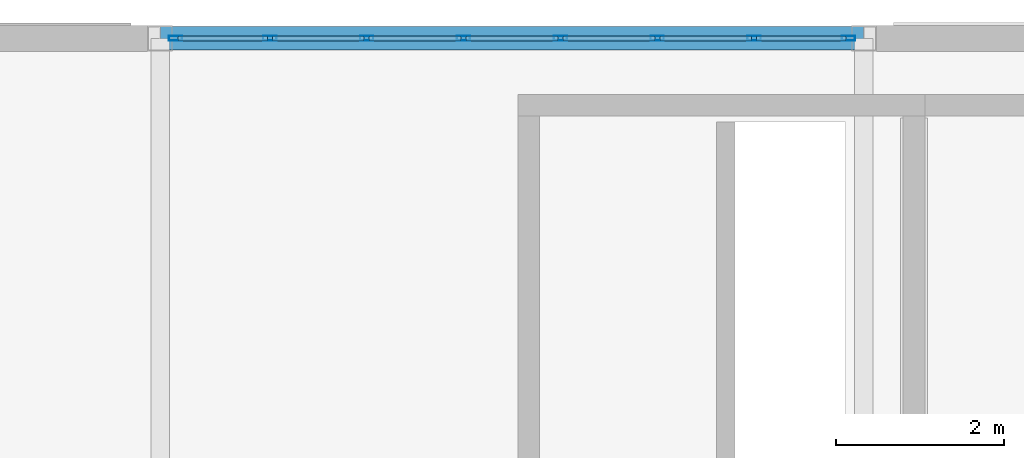
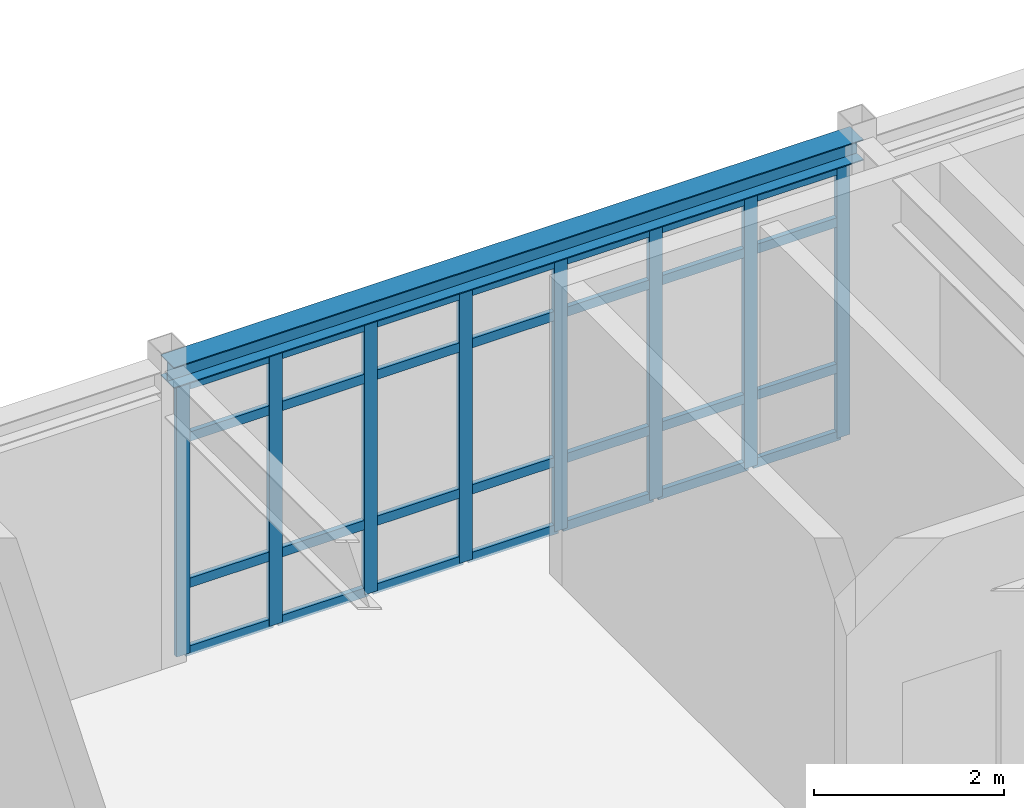
# One storey, part 92 of 165: 36 members, 1 beam, 1 element without a shape of its own.
"""IFC4 building model written with IfcOpenShell, lengths in metres."""

from ifc_helpers import new_model, si_unit, direction, frame, origin, origin_2d, place, context, subcontext, project, spatial, hollow_rectangle, i_section, extrude, material, layer, layer_set, material_profile, profile_set, type_object, element, aggregate, save


model = new_model("IFC4")

# Units and contexts
model_context = context("Model", 3, precision=1e-05, world=origin(), true_north=direction((0.0, 1.0)))
body_context = subcontext(model_context, "Body", "Model", "MODEL_VIEW")
ifc_project = project(units=[si_unit("LENGTHUNIT", "METRE"), si_unit("AREAUNIT", "SQUARE_METRE"), si_unit("VOLUMEUNIT", "CUBIC_METRE"), si_unit("PLANEANGLEUNIT", "RADIAN"), si_unit("MASSUNIT", "GRAM", prefix="KILO")], contexts=[model_context])

# Site, building, storey
site_placement = place(None, origin())
site = spatial("IfcSite", under=ifc_project, at=site_placement, CompositionType="ELEMENT")
building_placement = place(site_placement, origin())
building = spatial("IfcBuilding", under=site, at=building_placement, Name="Montecoro Central Library", CompositionType="ELEMENT")
storey_placement = place(building_placement, frame((0.0, 0.0, 5.10009765625)))
storey = spatial("IfcBuildingStorey", under=building, at=storey_placement, Name="L01", CompositionType="ELEMENT", Elevation=5.10009765625)

# Beam
ifc_material_1 = material(Name="Steel S355", Category="steel")
ifc_material_profile_1 = material_profile(ifc_material_1, i_section(OverallWidth=0.280029296875, OverallDepth=0.27001953125, WebThickness=0.008056640625, FlangeThickness=0.012939453125, at=origin_2d()), Name="HEA 280")
ifc_profile_set_1 = profile_set([ifc_material_profile_1], Name="Steel S355")
beam_type = type_object("IfcBeamType", Name="BM-SP-HEA280", PredefinedType="SPANDREL", material=ifc_profile_set_1)
beam_placement = place(storey_placement, frame((91.60498046875, 119.0, 3.68994140625), z_axis=(1.0, 0.0, 0.0), x_axis=(0.0, 1.0, 0.0)))
element("IfcBeam", 1, at=beam_placement, inside=storey, type_object=beam_type, Name="V2-L01-BX-1213-R", PredefinedType="SPANDREL", context=body_context, shape_type="SweptSolid", body=[
    extrude(i_section(OverallWidth=0.280029296875, OverallDepth=0.27001953125, WebThickness=0.008056640625, FlangeThickness=0.012939453125, at=origin_2d()), origin(), (0.0, 0.0, 1.0), 8.39013671875),
])

# Curtain wall, members
ifc_material_2 = material(Name="Bronze-anodised aluminium and low-E glazing", Category="aluminium")
ifc_layer = layer(ifc_material_2, 0.159912109375)
ifc_layer_set = layer_set([ifc_layer], Name="Bronze-anodised aluminium and low-E glazing")
curtain_wall_type = type_object("IfcCurtainWallType", Name="CWT-012", PredefinedType="NOTDEFINED", material=ifc_layer_set)
curtain_wall_placement = place(storey_placement, origin())
curtain_wall = element("IfcCurtainWall", 2, at=curtain_wall_placement, inside=storey, type_object=curtain_wall_type, Name="V2-L01-CW-N3", PredefinedType="NOTDEFINED")
ifc_material_3 = material(Name="Bronze-anodised aluminium", Category="aluminium")
ifc_material_profile_2 = material_profile(ifc_material_3, hollow_rectangle(XDim=0.06005859375, YDim=0.159912109375, WallThickness=0.00390625, at=origin_2d()), Name="CWM 160x60x4.0")
ifc_profile_set_2 = profile_set([ifc_material_profile_2], Name="Bronze-anodised aluminium")
member_type_1 = type_object("IfcMemberType", Name="CWM-BRZ-60", PredefinedType="MULLION", material=ifc_profile_set_2)
member_1_placement = place(storey_placement, frame((99.81689453125, 119.0, 0.0), z_axis=(0.0, 0.0, 1.0), x_axis=(0.0, -1.0, 0.0)))
member_1 = element("IfcMember", 3, at=member_1_placement, type_object=member_type_1, Name="CW-012 mullion 1", PredefinedType="MULLION", context=body_context, shape_type="SweptSolid", body=[
    extrude(hollow_rectangle(XDim=0.06005859375, YDim=0.159912109375, WallThickness=0.00390625, at=origin_2d()), origin(), (0.0, 0.0, 1.0), 3.47998046875),
])
member_2_placement = place(storey_placement, frame((98.690673828125, 119.0, 0.0), z_axis=(0.0, 0.0, 1.0), x_axis=(0.0, -1.0, 0.0)))
member_2 = element("IfcMember", 4, at=member_2_placement, type_object=member_type_1, Name="CW-012 mullion 2", PredefinedType="MULLION", context=body_context, shape_type="SweptSolid", body=[
    extrude(hollow_rectangle(XDim=0.06005859375, YDim=0.159912109375, WallThickness=0.00390625, at=origin_2d()), origin(), (0.0, 0.0, 1.0), 3.47998046875),
])
member_3_placement = place(storey_placement, frame((97.534423828125, 119.0, 0.0), z_axis=(0.0, 0.0, 1.0), x_axis=(0.0, -1.0, 0.0)))
member_3 = element("IfcMember", 5, at=member_3_placement, type_object=member_type_1, Name="CW-012 mullion 3", PredefinedType="MULLION", context=body_context, shape_type="SweptSolid", body=[
    extrude(hollow_rectangle(XDim=0.06005859375, YDim=0.159912109375, WallThickness=0.00390625, at=origin_2d()), origin(), (0.0, 0.0, 1.0), 3.47998046875),
])
member_4_placement = place(storey_placement, frame((96.378173828125, 119.0, 0.0), z_axis=(0.0, 0.0, 1.0), x_axis=(0.0, -1.0, 0.0)))
member_4 = element("IfcMember", 6, at=member_4_placement, type_object=member_type_1, Name="CW-012 mullion 4", PredefinedType="MULLION", context=body_context, shape_type="SweptSolid", body=[
    extrude(hollow_rectangle(XDim=0.06005859375, YDim=0.159912109375, WallThickness=0.00390625, at=origin_2d()), origin(), (0.0, 0.0, 1.0), 3.47998046875),
])
member_5_placement = place(storey_placement, frame((95.221923828125, 119.0, 0.0), z_axis=(0.0, 0.0, 1.0), x_axis=(0.0, -1.0, 0.0)))
member_5 = element("IfcMember", 7, at=member_5_placement, type_object=member_type_1, Name="CW-012 mullion 5", PredefinedType="MULLION", context=body_context, shape_type="SweptSolid", body=[
    extrude(hollow_rectangle(XDim=0.06005859375, YDim=0.159912109375, WallThickness=0.00390625, at=origin_2d()), origin(), (0.0, 0.0, 1.0), 3.47998046875),
])
member_6_placement = place(storey_placement, frame((94.065673828125, 119.0, 0.0), z_axis=(0.0, 0.0, 1.0), x_axis=(0.0, -1.0, 0.0)))
member_6 = element("IfcMember", 8, at=member_6_placement, type_object=member_type_1, Name="CW-012 mullion 6", PredefinedType="MULLION", context=body_context, shape_type="SweptSolid", body=[
    extrude(hollow_rectangle(XDim=0.06005859375, YDim=0.159912109375, WallThickness=0.00390625, at=origin_2d()), origin(), (0.0, 0.0, 1.0), 3.47998046875),
])
member_7_placement = place(storey_placement, frame((92.9091796875, 119.0, 0.0), z_axis=(0.0, 0.0, 1.0), x_axis=(0.0, -1.0, 0.0)))
member_7 = element("IfcMember", 9, at=member_7_placement, type_object=member_type_1, Name="CW-012 mullion 7", PredefinedType="MULLION", context=body_context, shape_type="SweptSolid", body=[
    extrude(hollow_rectangle(XDim=0.06005859375, YDim=0.159912109375, WallThickness=0.00390625, at=origin_2d()), origin(), (0.0, 0.0, 1.0), 3.47998046875),
])
member_8_placement = place(storey_placement, frame((91.782958984375, 119.0, 0.0), z_axis=(0.0, 0.0, 1.0), x_axis=(0.0, -1.0, 0.0)))
member_8 = element("IfcMember", 10, at=member_8_placement, type_object=member_type_1, Name="CW-012 mullion 8", PredefinedType="MULLION", context=body_context, shape_type="SweptSolid", body=[
    extrude(hollow_rectangle(XDim=0.06005859375, YDim=0.159912109375, WallThickness=0.00390625, at=origin_2d()), origin(), (0.0, 0.0, 1.0), 3.47998046875),
])
ifc_material_profile_3 = material_profile(ifc_material_3, hollow_rectangle(XDim=0.06005859375, YDim=0.1201171875, WallThickness=0.00390625, at=origin_2d()), Name="CWT 120x60x4.0")
ifc_profile_set_3 = profile_set([ifc_material_profile_3], Name="Bronze-anodised aluminium")
member_type_2 = type_object("IfcMemberType", Name="CWT-BRZ-60", PredefinedType="USERDEFINED", material=ifc_profile_set_3)
member_9_placement = place(storey_placement, frame((99.787109375, 119.0, 0.02978515625), z_axis=(-1.0, 0.0, 0.0), x_axis=(0.0, -1.0, 0.0)))
member_9 = element("IfcMember", 11, at=member_9_placement, type_object=member_type_2, Name="CW-012 transom 1.1", ObjectType="TRANSOM", PredefinedType="USERDEFINED", context=body_context, shape_type="SweptSolid", body=[
    extrude(hollow_rectangle(XDim=0.06005859375, YDim=0.1201171875, WallThickness=0.00390625, at=origin_2d()), origin(), (0.0, 0.0, 1.0), 1.06640625),
])
member_10_placement = place(storey_placement, frame((99.787109375, 119.0, 0.89990234375), z_axis=(-1.0, 0.0, 0.0), x_axis=(0.0, -1.0, 0.0)))
member_10 = element("IfcMember", 12, at=member_10_placement, type_object=member_type_2, Name="CW-012 transom 1.2", ObjectType="TRANSOM", PredefinedType="USERDEFINED", context=body_context, shape_type="SweptSolid", body=[
    extrude(hollow_rectangle(XDim=0.06005859375, YDim=0.1201171875, WallThickness=0.00390625, at=origin_2d()), origin(), (0.0, 0.0, 1.0), 1.06640625),
])
member_11_placement = place(storey_placement, frame((99.787109375, 119.0, 2.77978515625), z_axis=(-1.0, 0.0, 0.0), x_axis=(0.0, -1.0, 0.0)))
member_11 = element("IfcMember", 13, at=member_11_placement, type_object=member_type_2, Name="CW-012 transom 1.3", ObjectType="TRANSOM", PredefinedType="USERDEFINED", context=body_context, shape_type="SweptSolid", body=[
    extrude(hollow_rectangle(XDim=0.06005859375, YDim=0.1201171875, WallThickness=0.00390625, at=origin_2d()), origin(), (0.0, 0.0, 1.0), 1.06640625),
])
member_12_placement = place(storey_placement, frame((99.787109375, 119.0, 3.449951171875), z_axis=(-1.0, 0.0, 0.0), x_axis=(0.0, -1.0, 0.0)))
member_12 = element("IfcMember", 14, at=member_12_placement, type_object=member_type_2, Name="CW-012 transom 1.4", ObjectType="TRANSOM", PredefinedType="USERDEFINED", context=body_context, shape_type="SweptSolid", body=[
    extrude(hollow_rectangle(XDim=0.06005859375, YDim=0.1201171875, WallThickness=0.00390625, at=origin_2d()), origin(), (0.0, 0.0, 1.0), 1.06640625),
])
member_13_placement = place(storey_placement, frame((98.66064453125, 119.0, 0.02978515625), z_axis=(-1.0, 0.0, 0.0), x_axis=(0.0, -1.0, 0.0)))
member_13 = element("IfcMember", 15, at=member_13_placement, type_object=member_type_2, Name="CW-012 transom 2.1", ObjectType="TRANSOM", PredefinedType="USERDEFINED", context=body_context, shape_type="SweptSolid", body=[
    extrude(hollow_rectangle(XDim=0.06005859375, YDim=0.1201171875, WallThickness=0.00390625, at=origin_2d()), origin(), (0.0, 0.0, 1.0), 1.09619140625),
])
member_14_placement = place(storey_placement, frame((98.66064453125, 119.0, 0.89990234375), z_axis=(-1.0, 0.0, 0.0), x_axis=(0.0, -1.0, 0.0)))
member_14 = element("IfcMember", 16, at=member_14_placement, type_object=member_type_2, Name="CW-012 transom 2.2", ObjectType="TRANSOM", PredefinedType="USERDEFINED", context=body_context, shape_type="SweptSolid", body=[
    extrude(hollow_rectangle(XDim=0.06005859375, YDim=0.1201171875, WallThickness=0.00390625, at=origin_2d()), origin(), (0.0, 0.0, 1.0), 1.09619140625),
])
member_15_placement = place(storey_placement, frame((98.66064453125, 119.0, 2.77978515625), z_axis=(-1.0, 0.0, 0.0), x_axis=(0.0, -1.0, 0.0)))
member_15 = element("IfcMember", 17, at=member_15_placement, type_object=member_type_2, Name="CW-012 transom 2.3", ObjectType="TRANSOM", PredefinedType="USERDEFINED", context=body_context, shape_type="SweptSolid", body=[
    extrude(hollow_rectangle(XDim=0.06005859375, YDim=0.1201171875, WallThickness=0.00390625, at=origin_2d()), origin(), (0.0, 0.0, 1.0), 1.09619140625),
])
member_16_placement = place(storey_placement, frame((98.66064453125, 119.0, 3.449951171875), z_axis=(-1.0, 0.0, 0.0), x_axis=(0.0, -1.0, 0.0)))
member_16 = element("IfcMember", 18, at=member_16_placement, type_object=member_type_2, Name="CW-012 transom 2.4", ObjectType="TRANSOM", PredefinedType="USERDEFINED", context=body_context, shape_type="SweptSolid", body=[
    extrude(hollow_rectangle(XDim=0.06005859375, YDim=0.1201171875, WallThickness=0.00390625, at=origin_2d()), origin(), (0.0, 0.0, 1.0), 1.09619140625),
])
member_17_placement = place(storey_placement, frame((97.50439453125, 119.0, 0.02978515625), z_axis=(-1.0, 0.0, 0.0), x_axis=(0.0, -1.0, 0.0)))
member_17 = element("IfcMember", 19, at=member_17_placement, type_object=member_type_2, Name="CW-012 transom 3.1", ObjectType="TRANSOM", PredefinedType="USERDEFINED", context=body_context, shape_type="SweptSolid", body=[
    extrude(hollow_rectangle(XDim=0.06005859375, YDim=0.1201171875, WallThickness=0.00390625, at=origin_2d()), origin(), (0.0, 0.0, 1.0), 1.09619140625),
])
member_18_placement = place(storey_placement, frame((97.50439453125, 119.0, 0.89990234375), z_axis=(-1.0, 0.0, 0.0), x_axis=(0.0, -1.0, 0.0)))
member_18 = element("IfcMember", 20, at=member_18_placement, type_object=member_type_2, Name="CW-012 transom 3.2", ObjectType="TRANSOM", PredefinedType="USERDEFINED", context=body_context, shape_type="SweptSolid", body=[
    extrude(hollow_rectangle(XDim=0.06005859375, YDim=0.1201171875, WallThickness=0.00390625, at=origin_2d()), origin(), (0.0, 0.0, 1.0), 1.09619140625),
])
member_19_placement = place(storey_placement, frame((97.50439453125, 119.0, 2.77978515625), z_axis=(-1.0, 0.0, 0.0), x_axis=(0.0, -1.0, 0.0)))
member_19 = element("IfcMember", 21, at=member_19_placement, type_object=member_type_2, Name="CW-012 transom 3.3", ObjectType="TRANSOM", PredefinedType="USERDEFINED", context=body_context, shape_type="SweptSolid", body=[
    extrude(hollow_rectangle(XDim=0.06005859375, YDim=0.1201171875, WallThickness=0.00390625, at=origin_2d()), origin(), (0.0, 0.0, 1.0), 1.09619140625),
])
member_20_placement = place(storey_placement, frame((97.50439453125, 119.0, 3.449951171875), z_axis=(-1.0, 0.0, 0.0), x_axis=(0.0, -1.0, 0.0)))
member_20 = element("IfcMember", 22, at=member_20_placement, type_object=member_type_2, Name="CW-012 transom 3.4", ObjectType="TRANSOM", PredefinedType="USERDEFINED", context=body_context, shape_type="SweptSolid", body=[
    extrude(hollow_rectangle(XDim=0.06005859375, YDim=0.1201171875, WallThickness=0.00390625, at=origin_2d()), origin(), (0.0, 0.0, 1.0), 1.09619140625),
])
member_21_placement = place(storey_placement, frame((96.34814453125, 119.0, 0.02978515625), z_axis=(-1.0, 0.0, 0.0), x_axis=(0.0, -1.0, 0.0)))
member_21 = element("IfcMember", 23, at=member_21_placement, type_object=member_type_2, Name="CW-012 transom 4.1", ObjectType="TRANSOM", PredefinedType="USERDEFINED", context=body_context, shape_type="SweptSolid", body=[
    extrude(hollow_rectangle(XDim=0.06005859375, YDim=0.1201171875, WallThickness=0.00390625, at=origin_2d()), origin(), (0.0, 0.0, 1.0), 1.09619140625),
])
member_22_placement = place(storey_placement, frame((96.34814453125, 119.0, 0.89990234375), z_axis=(-1.0, 0.0, 0.0), x_axis=(0.0, -1.0, 0.0)))
member_22 = element("IfcMember", 24, at=member_22_placement, type_object=member_type_2, Name="CW-012 transom 4.2", ObjectType="TRANSOM", PredefinedType="USERDEFINED", context=body_context, shape_type="SweptSolid", body=[
    extrude(hollow_rectangle(XDim=0.06005859375, YDim=0.1201171875, WallThickness=0.00390625, at=origin_2d()), origin(), (0.0, 0.0, 1.0), 1.09619140625),
])
member_23_placement = place(storey_placement, frame((96.34814453125, 119.0, 2.77978515625), z_axis=(-1.0, 0.0, 0.0), x_axis=(0.0, -1.0, 0.0)))
member_23 = element("IfcMember", 25, at=member_23_placement, type_object=member_type_2, Name="CW-012 transom 4.3", ObjectType="TRANSOM", PredefinedType="USERDEFINED", context=body_context, shape_type="SweptSolid", body=[
    extrude(hollow_rectangle(XDim=0.06005859375, YDim=0.1201171875, WallThickness=0.00390625, at=origin_2d()), origin(), (0.0, 0.0, 1.0), 1.09619140625),
])
member_24_placement = place(storey_placement, frame((96.34814453125, 119.0, 3.449951171875), z_axis=(-1.0, 0.0, 0.0), x_axis=(0.0, -1.0, 0.0)))
member_24 = element("IfcMember", 26, at=member_24_placement, type_object=member_type_2, Name="CW-012 transom 4.4", ObjectType="TRANSOM", PredefinedType="USERDEFINED", context=body_context, shape_type="SweptSolid", body=[
    extrude(hollow_rectangle(XDim=0.06005859375, YDim=0.1201171875, WallThickness=0.00390625, at=origin_2d()), origin(), (0.0, 0.0, 1.0), 1.09619140625),
])
member_25_placement = place(storey_placement, frame((95.19189453125, 119.0, 0.02978515625), z_axis=(-1.0, 0.0, 0.0), x_axis=(0.0, -1.0, 0.0)))
member_25 = element("IfcMember", 27, at=member_25_placement, type_object=member_type_2, Name="CW-012 transom 5.1", ObjectType="TRANSOM", PredefinedType="USERDEFINED", context=body_context, shape_type="SweptSolid", body=[
    extrude(hollow_rectangle(XDim=0.06005859375, YDim=0.1201171875, WallThickness=0.00390625, at=origin_2d()), origin(), (0.0, 0.0, 1.0), 1.096435546875),
])
member_26_placement = place(storey_placement, frame((95.19189453125, 119.0, 0.89990234375), z_axis=(-1.0, 0.0, 0.0), x_axis=(0.0, -1.0, 0.0)))
member_26 = element("IfcMember", 28, at=member_26_placement, type_object=member_type_2, Name="CW-012 transom 5.2", ObjectType="TRANSOM", PredefinedType="USERDEFINED", context=body_context, shape_type="SweptSolid", body=[
    extrude(hollow_rectangle(XDim=0.06005859375, YDim=0.1201171875, WallThickness=0.00390625, at=origin_2d()), origin(), (0.0, 0.0, 1.0), 1.096435546875),
])
member_27_placement = place(storey_placement, frame((95.19189453125, 119.0, 2.77978515625), z_axis=(-1.0, 0.0, 0.0), x_axis=(0.0, -1.0, 0.0)))
member_27 = element("IfcMember", 29, at=member_27_placement, type_object=member_type_2, Name="CW-012 transom 5.3", ObjectType="TRANSOM", PredefinedType="USERDEFINED", context=body_context, shape_type="SweptSolid", body=[
    extrude(hollow_rectangle(XDim=0.06005859375, YDim=0.1201171875, WallThickness=0.00390625, at=origin_2d()), origin(), (0.0, 0.0, 1.0), 1.096435546875),
])
member_28_placement = place(storey_placement, frame((95.19189453125, 119.0, 3.449951171875), z_axis=(-1.0, 0.0, 0.0), x_axis=(0.0, -1.0, 0.0)))
member_28 = element("IfcMember", 30, at=member_28_placement, type_object=member_type_2, Name="CW-012 transom 5.4", ObjectType="TRANSOM", PredefinedType="USERDEFINED", context=body_context, shape_type="SweptSolid", body=[
    extrude(hollow_rectangle(XDim=0.06005859375, YDim=0.1201171875, WallThickness=0.00390625, at=origin_2d()), origin(), (0.0, 0.0, 1.0), 1.096435546875),
])
member_29_placement = place(storey_placement, frame((94.03564453125, 119.0, 0.02978515625), z_axis=(-1.0, 0.0, 0.0), x_axis=(0.0, -1.0, 0.0)))
member_29 = element("IfcMember", 31, at=member_29_placement, type_object=member_type_2, Name="CW-012 transom 6.1", ObjectType="TRANSOM", PredefinedType="USERDEFINED", context=body_context, shape_type="SweptSolid", body=[
    extrude(hollow_rectangle(XDim=0.06005859375, YDim=0.1201171875, WallThickness=0.00390625, at=origin_2d()), origin(), (0.0, 0.0, 1.0), 1.096435546875),
])
member_30_placement = place(storey_placement, frame((94.03564453125, 119.0, 0.89990234375), z_axis=(-1.0, 0.0, 0.0), x_axis=(0.0, -1.0, 0.0)))
member_30 = element("IfcMember", 32, at=member_30_placement, type_object=member_type_2, Name="CW-012 transom 6.2", ObjectType="TRANSOM", PredefinedType="USERDEFINED", context=body_context, shape_type="SweptSolid", body=[
    extrude(hollow_rectangle(XDim=0.06005859375, YDim=0.1201171875, WallThickness=0.00390625, at=origin_2d()), origin(), (0.0, 0.0, 1.0), 1.096435546875),
])
member_31_placement = place(storey_placement, frame((94.03564453125, 119.0, 2.77978515625), z_axis=(-1.0, 0.0, 0.0), x_axis=(0.0, -1.0, 0.0)))
member_31 = element("IfcMember", 33, at=member_31_placement, type_object=member_type_2, Name="CW-012 transom 6.3", ObjectType="TRANSOM", PredefinedType="USERDEFINED", context=body_context, shape_type="SweptSolid", body=[
    extrude(hollow_rectangle(XDim=0.06005859375, YDim=0.1201171875, WallThickness=0.00390625, at=origin_2d()), origin(), (0.0, 0.0, 1.0), 1.096435546875),
])
member_32_placement = place(storey_placement, frame((94.03564453125, 119.0, 3.449951171875), z_axis=(-1.0, 0.0, 0.0), x_axis=(0.0, -1.0, 0.0)))
member_32 = element("IfcMember", 34, at=member_32_placement, type_object=member_type_2, Name="CW-012 transom 6.4", ObjectType="TRANSOM", PredefinedType="USERDEFINED", context=body_context, shape_type="SweptSolid", body=[
    extrude(hollow_rectangle(XDim=0.06005859375, YDim=0.1201171875, WallThickness=0.00390625, at=origin_2d()), origin(), (0.0, 0.0, 1.0), 1.096435546875),
])
member_33_placement = place(storey_placement, frame((92.87939453125, 119.0, 0.02978515625), z_axis=(-1.0, 0.0, 0.0), x_axis=(0.0, -1.0, 0.0)))
member_33 = element("IfcMember", 35, at=member_33_placement, type_object=member_type_2, Name="CW-012 transom 7.1", ObjectType="TRANSOM", PredefinedType="USERDEFINED", context=body_context, shape_type="SweptSolid", body=[
    extrude(hollow_rectangle(XDim=0.06005859375, YDim=0.1201171875, WallThickness=0.00390625, at=origin_2d()), origin(), (0.0, 0.0, 1.0), 1.06640625),
])
member_34_placement = place(storey_placement, frame((92.87939453125, 119.0, 0.89990234375), z_axis=(-1.0, 0.0, 0.0), x_axis=(0.0, -1.0, 0.0)))
member_34 = element("IfcMember", 36, at=member_34_placement, type_object=member_type_2, Name="CW-012 transom 7.2", ObjectType="TRANSOM", PredefinedType="USERDEFINED", context=body_context, shape_type="SweptSolid", body=[
    extrude(hollow_rectangle(XDim=0.06005859375, YDim=0.1201171875, WallThickness=0.00390625, at=origin_2d()), origin(), (0.0, 0.0, 1.0), 1.06640625),
])
member_35_placement = place(storey_placement, frame((92.87939453125, 119.0, 2.77978515625), z_axis=(-1.0, 0.0, 0.0), x_axis=(0.0, -1.0, 0.0)))
member_35 = element("IfcMember", 37, at=member_35_placement, type_object=member_type_2, Name="CW-012 transom 7.3", ObjectType="TRANSOM", PredefinedType="USERDEFINED", context=body_context, shape_type="SweptSolid", body=[
    extrude(hollow_rectangle(XDim=0.06005859375, YDim=0.1201171875, WallThickness=0.00390625, at=origin_2d()), origin(), (0.0, 0.0, 1.0), 1.06640625),
])
member_36_placement = place(storey_placement, frame((92.87939453125, 119.0, 3.449951171875), z_axis=(-1.0, 0.0, 0.0), x_axis=(0.0, -1.0, 0.0)))
member_36 = element("IfcMember", 38, at=member_36_placement, type_object=member_type_2, Name="CW-012 transom 7.4", ObjectType="TRANSOM", PredefinedType="USERDEFINED", context=body_context, shape_type="SweptSolid", body=[
    extrude(hollow_rectangle(XDim=0.06005859375, YDim=0.1201171875, WallThickness=0.00390625, at=origin_2d()), origin(), (0.0, 0.0, 1.0), 1.06640625),
])
aggregate(curtain_wall, [member_1, member_2, member_3, member_4, member_5, member_6, member_7, member_8, member_9, member_10, member_11, member_12, member_13, member_14, member_15, member_16, member_17, member_18, member_19, member_20, member_21, member_22, member_23, member_24, member_25, member_26, member_27, member_28, member_29, member_30, member_31, member_32, member_33, member_34, member_35, member_36])

save(model, "model.ifc")
